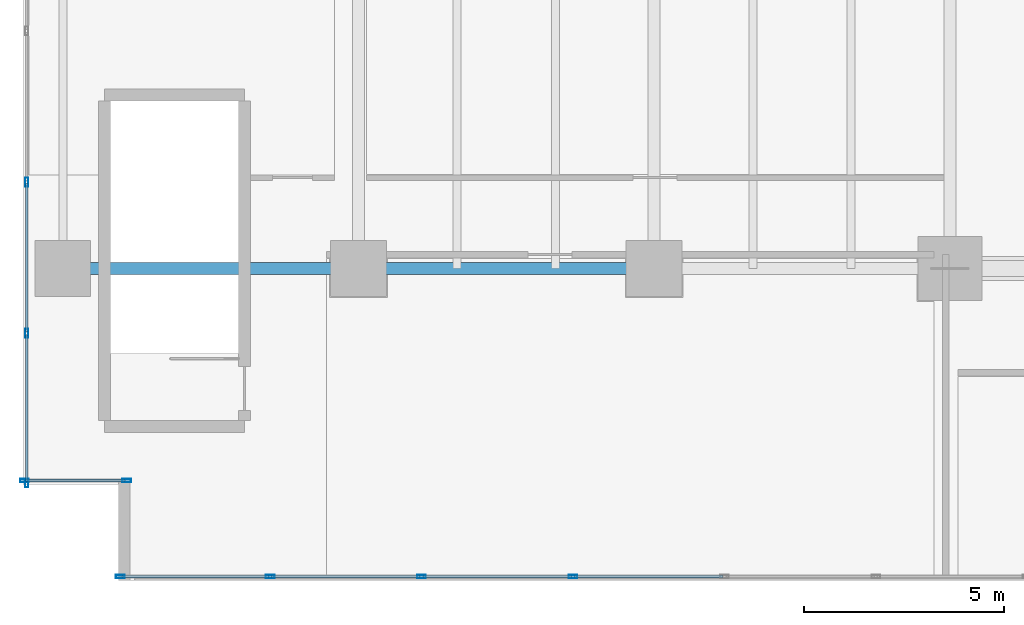
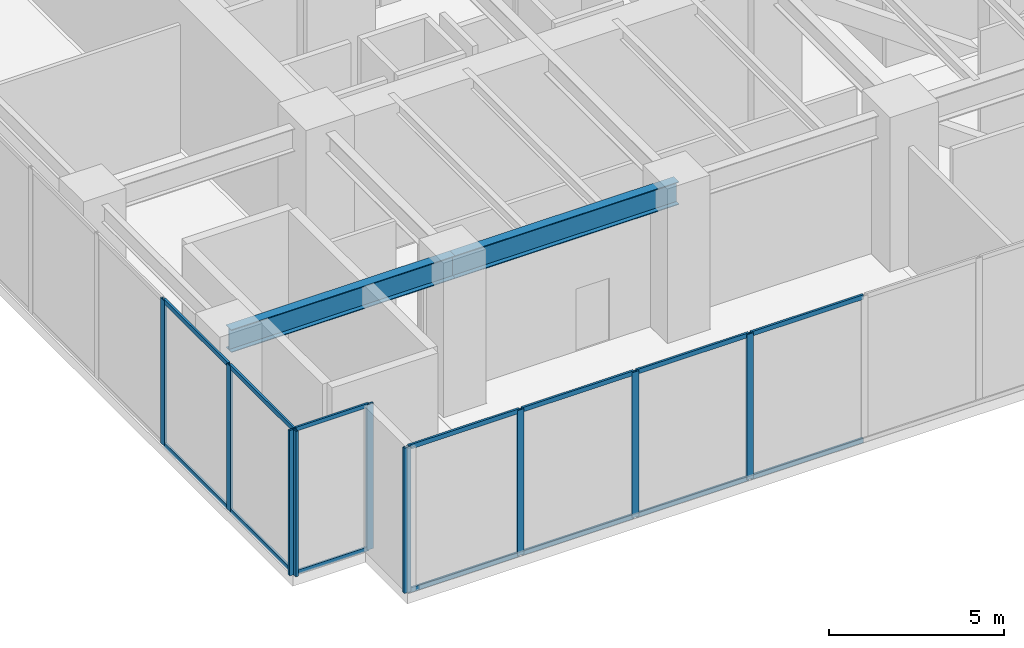
# One storey, part 2 of 35: 23 members, 2 beams, 3 elements without a shape of their own.
"""IFC4 building model written with IfcOpenShell, lengths in metres."""

import ifcopenshell
import ifcopenshell.guid

model = None  # the IFC model being written
_history = None  # IfcOwnerHistory: only IFC2X3 demands one
_inside = {}  # id of a spatial element -> (the spatial element, [elements in it])
_under = {}  # id of a project, library or spatial element -> (it, [spatial elements below it])
_declared = {}  # id of a project -> (the project, [libraries it declares])
_typed = {}  # id of a type object -> (the type object, [elements of that type])
_made_of = {}  # id of a material, layer set ... -> (it, [elements and type objects made of it])


def new_model(schema):
    """Start an empty IFC model of exactly this schema.

    Asked for "IFC4X3", IfcOpenShell would pick the latest addendum, in which some entities
    have other attributes; the version numbers below select the first issue.
    IFC2X3 requires an IfcOwnerHistory on every rooted entity: one is made here for all.
    """
    global model, _history
    if schema == "IFC4X3":
        model = ifcopenshell.file(schema_version=(4, 3, 0, 0))
    else:
        model = ifcopenshell.file(schema=schema)
    _inside.clear()
    _under.clear()
    _declared.clear()
    _typed.clear()
    _made_of.clear()
    _history = None
    if model.schema == "IFC2X3":
        org = make("IfcOrganization", Name="unknown")
        user = make(
            "IfcPersonAndOrganization",
            ThePerson=make("IfcPerson", FamilyName="unknown"),
            TheOrganization=org,
        )
        app = make(
            "IfcApplication",
            ApplicationDeveloper=org,
            Version="unknown",
            ApplicationFullName="unknown",
            ApplicationIdentifier="unknown",
        )
        _history = make(
            "IfcOwnerHistory",
            OwningUser=user,
            OwningApplication=app,
            ChangeAction="ADDED",
            CreationDate=0,
        )
    return model


def make(cls, **values):
    """One entity of the class cls with the attributes given. An attribute that is None is left unset."""
    return model.create_entity(
        cls, **{name: value for name, value in values.items() if value is not None}
    )


def rooted(cls, **values):
    """An entity with a GlobalId (a new one), such as an element, a storey or a relation."""
    return make(cls, GlobalId=ifcopenshell.guid.new(), OwnerHistory=_history, **values)


def si_unit(unit_type, name, prefix=None):
    """IfcSIUnit, for example si_unit("LENGTHUNIT", "METRE", prefix="MILLI")."""
    return make("IfcSIUnit", UnitType=unit_type, Prefix=prefix, Name=name)


def assignment(units):
    """IfcUnitAssignment: the units of a project."""
    return None if units is None else make("IfcUnitAssignment", Units=units)


def point(xyz):
    """IfcCartesianPoint."""
    return None if xyz is None else make("IfcCartesianPoint", Coordinates=xyz)


def direction(xyz):
    """IfcDirection."""
    return None if xyz is None else make("IfcDirection", DirectionRatios=xyz)


def frame(location, z_axis=None, x_axis=None):
    """IfcAxis2Placement3D, a coordinate frame: its origin and axes. An axis left out is left unset."""
    return make(
        "IfcAxis2Placement3D",
        Location=point(location),
        Axis=direction(z_axis),
        RefDirection=direction(x_axis),
    )


def frame_2d(location, x_axis=None):
    """IfcAxis2Placement2D, a coordinate frame in the plane: its origin and x axis."""
    return make(
        "IfcAxis2Placement2D", Location=point(location), RefDirection=direction(x_axis)
    )


def origin():
    """The frame at (0, 0, 0) with its axes left unset."""
    return frame((0.0, 0.0, 0.0))


def origin_2d():
    """The frame at (0, 0) in the plane with its x axis left unset."""
    return frame_2d((0.0, 0.0))


def place(relative_to, where):
    """IfcLocalPlacement: puts the frame where relative to a parent placement (None: the world)."""
    return make(
        "IfcLocalPlacement", PlacementRelTo=relative_to, RelativePlacement=where
    )


def context(
    kind, dimensions, precision=None, world=None, true_north=None, identifier=None
):
    """IfcGeometricRepresentationContext, for example the 3D "Model" context."""
    return make(
        "IfcGeometricRepresentationContext",
        ContextIdentifier=identifier,
        ContextType=kind,
        CoordinateSpaceDimension=dimensions,
        Precision=precision,
        WorldCoordinateSystem=world,
        TrueNorth=true_north,
    )


def subcontext(parent, identifier, kind, view, scale=None):
    """IfcGeometricRepresentationSubContext, for example "Body" below "Model"."""
    return make(
        "IfcGeometricRepresentationSubContext",
        ContextIdentifier=identifier,
        ContextType=kind,
        ParentContext=parent,
        TargetScale=scale,
        TargetView=view,
    )


def project(units=None, contexts=None):
    """IfcProject with its units and contexts."""
    return rooted(
        "IfcProject",
        Name="project",
        RepresentationContexts=contexts,
        UnitsInContext=assignment(units),
    )


def spatial(cls, under=None, at=None, **own):
    """A site, building, storey or space (cls), placed at a placement, below another one or the project."""
    s = rooted(cls, ObjectPlacement=at, **own)
    if under is not None:
        _under.setdefault(under.id(), (under, []))[1].append(s)
    return s


def profile(cls, at=None, kind="AREA", **sizes):
    """A parametric profile (cls). Its sizes go by their IFC names, for example OverallWidth=200.0."""
    return make(cls, ProfileType=kind, Position=at, **sizes)


def hollow_rectangle(**sizes):
    """IfcRectangleHollowProfileDef."""
    return profile("IfcRectangleHollowProfileDef", **sizes)


def i_section(**sizes):
    """IfcIShapeProfileDef."""
    return profile("IfcIShapeProfileDef", **sizes)


def extrude(swept, where, along, depth):
    """IfcExtrudedAreaSolid: the profile swept, set in the frame where, extruded along a direction by depth."""
    return make(
        "IfcExtrudedAreaSolid",
        SweptArea=swept,
        Position=where,
        ExtrudedDirection=direction(along),
        Depth=depth,
    )


def shape(context_of_items, identifier, shape_type, items):
    """IfcShapeRepresentation: the items that make up one representation, for example the "Body"."""
    return make(
        "IfcShapeRepresentation",
        ContextOfItems=context_of_items,
        RepresentationIdentifier=identifier,
        RepresentationType=shape_type,
        Items=items,
    )


def source(mapping_origin, context_of_items, identifier, shape_type, items):
    """IfcRepresentationMap: a shape defined once, which mapped items show again and again."""
    return make(
        "IfcRepresentationMap",
        MappingOrigin=mapping_origin,
        MappedRepresentation=shape(context_of_items, identifier, shape_type, items),
    )


def transform(
    local_origin,
    x_axis=None,
    y_axis=None,
    z_axis=None,
    scale=None,
    scale2=None,
    scale3=None,
    uniform=True,
):
    """IfcCartesianTransformationOperator3D, or its non-uniform kind. x_axis, y_axis, z_axis: its Axis1, 2, 3."""
    if uniform:
        return make(
            "IfcCartesianTransformationOperator3D",
            Axis1=direction(x_axis),
            Axis2=direction(y_axis),
            LocalOrigin=point(local_origin),
            Scale=scale,
            Axis3=direction(z_axis),
        )
    return make(
        "IfcCartesianTransformationOperator3DnonUniform",
        Axis1=direction(x_axis),
        Axis2=direction(y_axis),
        LocalOrigin=point(local_origin),
        Scale=scale,
        Axis3=direction(z_axis),
        Scale2=scale2,
        Scale3=scale3,
    )


def mapped(mapping_source, mapping_target):
    """IfcMappedItem: shows the shape of a source again, moved by a transform."""
    return make(
        "IfcMappedItem", MappingSource=mapping_source, MappingTarget=mapping_target
    )


def material(Name=None, Category=None):
    """IfcMaterial."""
    return make("IfcMaterial", Name=Name, Category=Category)


def layer(
    of_material, thickness, ventilated=None, Name=None, Category=None, Priority=None
):
    """IfcMaterialLayer: one layer of a wall or slab, of a material (None: an air gap)."""
    return make(
        "IfcMaterialLayer",
        Material=of_material,
        LayerThickness=thickness,
        IsVentilated=ventilated,
        Name=Name,
        Category=Category,
        Priority=Priority,
    )


def layer_set(layers, Name=None):
    """IfcMaterialLayerSet."""
    return make("IfcMaterialLayerSet", MaterialLayers=layers, LayerSetName=Name)


def material_profile(
    of_material, cross_section, Name=None, Category=None, Priority=None
):
    """IfcMaterialProfile: a cross section and its material."""
    return make(
        "IfcMaterialProfile",
        Name=Name,
        Material=of_material,
        Profile=cross_section,
        Priority=Priority,
        Category=Category,
    )


def profile_set(profiles, Name=None, composite=None):
    """IfcMaterialProfileSet."""
    return make(
        "IfcMaterialProfileSet",
        Name=Name,
        MaterialProfiles=profiles,
        CompositeProfile=composite,
    )


def made_of(thing, what):
    """Note that an element or type object is made of a material, layer set ...; save() writes the relation."""
    if what is not None:
        _made_of.setdefault(what.id(), (what, []))[1].append(thing)
    return thing


def type_object(cls, material=None, **own):
    """A type object (cls), such as IfcWallType, which elements share."""
    return made_of(rooted(cls, **own), material)


def type_shapes(of_type, sources):
    """Give a type object the sources (RepresentationMaps) that its elements show as mapped items."""
    of_type.RepresentationMaps = sources


def element(
    cls,
    number,
    at=None,
    inside=None,
    cuts=None,
    type_object=None,
    material=None,
    context=None,
    identifier="Body",
    shape_type=None,
    held_by="IfcProductDefinitionShape",
    body=None,
    shapes=None,
    **own,
):
    """One element of the class cls, such as IfcWall. Its Tag is "e" and its number.

    at: its placement. inside: the storey or other place that contains it. cuts: it is an
    opening in that element (IfcRelVoidsElement). A single representation is given by context,
    identifier, shape_type and body (its items); several are given by shapes. held_by: the class
    of the entity that holds the representations. save() writes the other relations.
    """
    e = rooted(cls, Tag="e%d" % number, ObjectPlacement=at, **own)
    if body is not None:
        shapes = [shape(context, identifier, shape_type, body)]
    if shapes is not None:
        e.Representation = make(held_by, Representations=shapes)
    if inside is not None:
        _inside.setdefault(inside.id(), (inside, []))[1].append(e)
    if cuts is not None:
        rooted(
            "IfcRelVoidsElement", RelatingBuildingElement=cuts, RelatedOpeningElement=e
        )
    if type_object is not None:
        _typed.setdefault(type_object.id(), (type_object, []))[1].append(e)
    return made_of(e, material)


def aggregate(whole, parts):
    """IfcRelAggregates: a whole, such as a stair, and the parts it consists of."""
    return rooted("IfcRelAggregates", RelatingObject=whole, RelatedObjects=parts)


def save(model, path):
    """Write the relations noted so far, then the file.

    IfcRelAggregates (storeys below a building ...), IfcRelContainedInSpatialStructure (elements
    in a storey), IfcRelDefinesByType, IfcRelAssociatesMaterial and IfcRelDeclares: one each for
    every whole, place, type object, material and project.
    """
    for whole, parts in _under.values():
        aggregate(whole, parts)
    for where, things in _inside.values():
        rooted(
            "IfcRelContainedInSpatialStructure",
            RelatedElements=things,
            RelatingStructure=where,
        )
    for kind, things in _typed.values():
        rooted("IfcRelDefinesByType", RelatedObjects=things, RelatingType=kind)
    for what, things in _made_of.values():
        rooted("IfcRelAssociatesMaterial", RelatedObjects=things, RelatingMaterial=what)
    for by, libraries in _declared.values():
        rooted("IfcRelDeclares", RelatingContext=by, RelatedDefinitions=libraries)
    model.write(path)


model = new_model("IFC4")

# Units and contexts
model_context = context("Model", 3, precision=1e-05, world=origin(), true_north=direction((0.0, 1.0)))
body_context = subcontext(model_context, "Body", "Model", "MODEL_VIEW")
ifc_project = project(units=[si_unit("LENGTHUNIT", "METRE"), si_unit("AREAUNIT", "SQUARE_METRE"), si_unit("VOLUMEUNIT", "CUBIC_METRE"), si_unit("PLANEANGLEUNIT", "RADIAN"), si_unit("MASSUNIT", "GRAM", prefix="KILO")], contexts=[model_context])

# Site, building, storey
site_placement = place(None, origin())
site = spatial("IfcSite", under=ifc_project, at=site_placement, CompositionType="ELEMENT")
building_placement = place(site_placement, origin())
building = spatial("IfcBuilding", under=site, at=building_placement, Name="Haelvirn Gate Laboratories", CompositionType="ELEMENT")
storey_placement = place(building_placement, frame((0.0, 0.0, 19.800048828125)))
storey = spatial("IfcBuildingStorey", under=building, at=storey_placement, Name="L05", CompositionType="ELEMENT", Elevation=19.800048828125)

# Beams
ifc_material_1 = material(Name="Steel SM420", Category="steel")
ifc_material_profile_1 = material_profile(ifc_material_1, i_section(OverallWidth=0.300048828125, OverallDepth=0.800048828125, WebThickness=0.013916015625, FlangeThickness=0.02587890625, at=origin_2d()), Name="H-800x300x14x26")
ifc_profile_set_1 = profile_set([ifc_material_profile_1], Name="Steel SM420")
beam_type = type_object("IfcBeamType", Name="BM-G-800", PredefinedType="BEAM", material=ifc_profile_set_1)
shared_shape_1 = source(origin(), body_context, "Body", "SweptSolid", [
    extrude(i_section(OverallWidth=0.300048828125, OverallDepth=0.800048828125, WebThickness=0.013916015625, FlangeThickness=0.02587890625, at=origin_2d()), origin(), (0.0, 0.0, 1.0), 7.400146484375),
])
beam_1_placement = place(storey_placement, frame((7.39990234375, 7.0, 4.679931640625), z_axis=(1.0, 0.0, 0.0), x_axis=(0.0, 1.0, 0.0)))
element("IfcBeam", 1, at=beam_1_placement, inside=storey, type_object=beam_type, Name="L05 Primary Girder Y7.0 (7.4-14.8)", PredefinedType="BEAM", context=body_context, shape_type="MappedRepresentation", body=[
    mapped(shared_shape_1, transform((0.0, 0.0, 0.0), scale=1.0)),
])
shared_shape_2 = source(origin(), body_context, "Body", "SweptSolid", [
    extrude(i_section(OverallWidth=0.300048828125, OverallDepth=0.800048828125, WebThickness=0.013916015625, FlangeThickness=0.02587890625, at=origin_2d()), origin(), (0.0, 0.0, 1.0), 7.39990234375),
])
type_shapes(beam_type, [shared_shape_1, shared_shape_2])
beam_2_placement = place(storey_placement, frame((0.0, 7.0, 4.679931640625), z_axis=(1.0, 0.0, 0.0), x_axis=(0.0, 1.0, 0.0)))
element("IfcBeam", 2, at=beam_2_placement, inside=storey, type_object=beam_type, Name="L05 Primary Girder Y7.0 (0.0-7.4)", PredefinedType="BEAM", context=body_context, shape_type="MappedRepresentation", body=[
    mapped(shared_shape_2, transform((0.0, 0.0, 0.0), scale=1.0)),
])

# Curtain wall, members
ifc_material_2 = material(Name="Anodised bronze unitised aluminium & triple low-E glass", Category="aluminium")
ifc_layer_1 = layer(ifc_material_2, 0.181884765625, Name="CW-SYS-5")
ifc_layer_set_1 = layer_set([ifc_layer_1], Name="Anodised bronze unitised aluminium & triple low-E glass")
curtain_wall_type_1 = type_object("IfcCurtainWallType", Name="CW-SYS-5", PredefinedType="NOTDEFINED", material=ifc_layer_set_1)
curtain_wall_1_placement = place(storey_placement, origin())
curtain_wall_1 = element("IfcCurtainWall", 3, at=curtain_wall_1_placement, inside=storey, type_object=curtain_wall_type_1, Name="L05 Unitised Curtain Wall CW-L05-P0-E10-1", PredefinedType="NOTDEFINED")
ifc_material_3 = material(Name="Extruded aluminium 6063-T6 (anodised bronze)", Category="aluminium")
ifc_material_profile_2 = material_profile(ifc_material_3, hollow_rectangle(XDim=0.06494140625, YDim=0.139892578125, WallThickness=0.00390625, at=origin_2d()), Name="CWT-140x65x4")
ifc_profile_set_2 = profile_set([ifc_material_profile_2], Name="Extruded aluminium 6063-T6 (anodised bronze)")
member_type_1 = type_object("IfcMemberType", Name="CWT-T140", PredefinedType="USERDEFINED", material=ifc_profile_set_2)
shared_shape_3 = source(origin(), body_context, "Body", "SweptSolid", [
    extrude(hollow_rectangle(XDim=0.06494140625, YDim=0.139892578125, WallThickness=0.00390625, at=origin_2d()), origin(), (0.0, 0.0, 1.0), 2.47998046875),
])
type_shapes(member_type_1, [shared_shape_3])
member_1_placement = place(storey_placement, frame((-0.919921875, 1.699951171875, 0.032470703125), z_axis=(1.0, 0.0, 0.0), x_axis=(0.0, 1.0, 0.0)))
member_1 = element("IfcMember", 4, at=member_1_placement, type_object=member_type_1, Name="CW5 transom 1.1", ObjectType="TRANSOM", PredefinedType="USERDEFINED", context=body_context, shape_type="MappedRepresentation", body=[
    mapped(shared_shape_3, transform((0.0, 0.0, 0.0), scale=1.0)),
])
member_2_placement = place(storey_placement, frame((-0.919921875, 1.699951171875, 5.04736328125), z_axis=(1.0, 0.0, 0.0), x_axis=(0.0, 1.0, 0.0)))
member_2 = element("IfcMember", 5, at=member_2_placement, type_object=member_type_1, Name="CW5 transom 1.2", ObjectType="TRANSOM", PredefinedType="USERDEFINED", context=body_context, shape_type="MappedRepresentation", body=[
    mapped(shared_shape_3, transform((0.0, 0.0, 0.0), scale=1.0)),
])

ifc_layer_2 = layer(ifc_material_2, 0.18798828125, Name="CW-SYS-1")
ifc_layer_set_2 = layer_set([ifc_layer_2], Name="Anodised bronze unitised aluminium & triple low-E glass")
curtain_wall_type_2 = type_object("IfcCurtainWallType", Name="CW-SYS-1", PredefinedType="NOTDEFINED", material=ifc_layer_set_2)
curtain_wall_2_placement = place(storey_placement, origin())
curtain_wall_2 = element("IfcCurtainWall", 6, at=curtain_wall_2_placement, inside=storey, type_object=curtain_wall_type_2, Name="L05 Unitised Curtain Wall CW-L05-P0-E09", PredefinedType="NOTDEFINED")
ifc_material_profile_3 = material_profile(ifc_material_3, hollow_rectangle(XDim=0.070068359375, YDim=0.159912109375, WallThickness=0.0048828125, at=origin_2d()), Name="CWT-160x70x5")
ifc_profile_set_3 = profile_set([ifc_material_profile_3], Name="Extruded aluminium 6063-T6 (anodised bronze)")
member_type_2 = type_object("IfcMemberType", Name="CWT-T160", PredefinedType="USERDEFINED", material=ifc_profile_set_3)
shared_shape_4 = source(origin(), body_context, "Body", "SweptSolid", [
    extrude(hollow_rectangle(XDim=0.070068359375, YDim=0.159912109375, WallThickness=0.0048828125, at=origin_2d()), origin(), (0.0, 0.0, 1.0), 3.663330078125),
])
member_3_placement = place(storey_placement, frame((-0.89990234375, 5.34326171875, 0.034912109375), z_axis=(0.0, -1.0, 0.0), x_axis=(1.0, 0.0, 0.0)))
member_3 = element("IfcMember", 7, at=member_3_placement, type_object=member_type_2, Name="CW1 transom 12.1", ObjectType="TRANSOM", PredefinedType="USERDEFINED", context=body_context, shape_type="MappedRepresentation", body=[
    mapped(shared_shape_4, transform((0.0, 0.0, 0.0), scale=1.0)),
])
member_4_placement = place(storey_placement, frame((-0.89990234375, 5.34326171875, 5.044921875), z_axis=(0.0, -1.0, 0.0), x_axis=(1.0, 0.0, 0.0)))
member_4 = element("IfcMember", 8, at=member_4_placement, type_object=member_type_2, Name="CW1 transom 12.2", ObjectType="TRANSOM", PredefinedType="USERDEFINED", context=body_context, shape_type="MappedRepresentation", body=[
    mapped(shared_shape_4, transform((0.0, 0.0, 0.0), scale=1.0)),
])
shared_shape_5 = source(origin(), body_context, "Body", "SweptSolid", [
    extrude(hollow_rectangle(XDim=0.070068359375, YDim=0.159912109375, WallThickness=0.0048828125, at=origin_2d()), origin(), (0.0, 0.0, 1.0), 3.703369140625),
])
member_5_placement = place(storey_placement, frame((-0.89990234375, 9.126708984375, 0.034912109375), z_axis=(0.0, -1.0, 0.0), x_axis=(1.0, 0.0, 0.0)))
member_5 = element("IfcMember", 9, at=member_5_placement, type_object=member_type_2, Name="CW1 transom 11.1", ObjectType="TRANSOM", PredefinedType="USERDEFINED", context=body_context, shape_type="MappedRepresentation", body=[
    mapped(shared_shape_5, transform((0.0, 0.0, 0.0), scale=1.0)),
])
member_6_placement = place(storey_placement, frame((-0.89990234375, 9.126708984375, 5.044921875), z_axis=(0.0, -1.0, 0.0), x_axis=(1.0, 0.0, 0.0)))
member_6 = element("IfcMember", 10, at=member_6_placement, type_object=member_type_2, Name="CW1 transom 11.2", ObjectType="TRANSOM", PredefinedType="USERDEFINED", context=body_context, shape_type="MappedRepresentation", body=[
    mapped(shared_shape_5, transform((0.0, 0.0, 0.0), scale=1.0)),
])

curtain_wall_3_placement = place(storey_placement, origin())
curtain_wall_3 = element("IfcCurtainWall", 11, at=curtain_wall_3_placement, inside=storey, type_object=curtain_wall_type_2, Name="L05 Unitised Curtain Wall CW-L05-P0-E00-1", PredefinedType="NOTDEFINED")
ifc_material_profile_4 = material_profile(ifc_material_3, hollow_rectangle(XDim=0.080078125, YDim=0.219970703125, WallThickness=0.006103515625, at=origin_2d()), Name="CWM-220x80x6")
ifc_profile_set_4 = profile_set([ifc_material_profile_4], Name="Extruded aluminium 6063-T6 (anodised bronze)")
member_type_3 = type_object("IfcMemberType", Name="CWM-T220", PredefinedType="MULLION", material=ifc_profile_set_4)
shared_shape_6 = source(origin(), body_context, "Body", "SweptSolid", [
    extrude(hollow_rectangle(XDim=0.080078125, YDim=0.219970703125, WallThickness=0.006103515625, at=origin_2d()), origin(), (0.0, 0.0, 1.0), 5.079833984375),
])
type_shapes(member_type_3, [shared_shape_6])
member_7_placement = place(storey_placement, frame((1.43994140625, -0.699951171875, 0.0), z_axis=(0.0, 0.0, 1.0), x_axis=(0.0, 1.0, 0.0)))
member_7 = element("IfcMember", 12, at=member_7_placement, type_object=member_type_3, Name="CW1 mullion 1", PredefinedType="MULLION", context=body_context, shape_type="MappedRepresentation", body=[
    mapped(shared_shape_6, transform((0.0, 0.0, 0.0), scale=1.0)),
])
member_8_placement = place(storey_placement, frame((5.189453125, -0.699951171875, 0.0), z_axis=(0.0, 0.0, 1.0), x_axis=(0.0, 1.0, 0.0)))
member_8 = element("IfcMember", 13, at=member_8_placement, type_object=member_type_3, Name="CW1 mullion 2", PredefinedType="MULLION", context=body_context, shape_type="MappedRepresentation", body=[
    mapped(shared_shape_6, transform((0.0, 0.0, 0.0), scale=1.0)),
])
member_9_placement = place(storey_placement, frame((8.97900390625, -0.699951171875, 0.0), z_axis=(0.0, 0.0, 1.0), x_axis=(0.0, 1.0, 0.0)))
member_9 = element("IfcMember", 14, at=member_9_placement, type_object=member_type_3, Name="CW1 mullion 3", PredefinedType="MULLION", context=body_context, shape_type="MappedRepresentation", body=[
    mapped(shared_shape_6, transform((0.0, 0.0, 0.0), scale=1.0)),
])
member_10_placement = place(storey_placement, frame((12.768310546875, -0.699951171875, 0.0), z_axis=(0.0, 0.0, 1.0), x_axis=(0.0, 1.0, 0.0)))
member_10 = element("IfcMember", 15, at=member_10_placement, type_object=member_type_3, Name="CW1 mullion 4", PredefinedType="MULLION", context=body_context, shape_type="MappedRepresentation", body=[
    mapped(shared_shape_6, transform((0.0, 0.0, 0.0), scale=1.0)),
])

# Member
member_11_placement = place(storey_placement, frame((-0.89990234375, 9.166748046875, 0.0), z_axis=(0.0, 0.0, 1.0), x_axis=(1.0, 0.0, 0.0)))
member_11 = element("IfcMember", 16, at=member_11_placement, type_object=member_type_3, Name="CW1 mullion 11", PredefinedType="MULLION", context=body_context, shape_type="MappedRepresentation", body=[
    mapped(shared_shape_6, transform((0.0, 0.0, 0.0), scale=1.0)),
])

member_12_placement = place(storey_placement, frame((-0.89990234375, 5.38330078125, 0.0), z_axis=(0.0, 0.0, 1.0), x_axis=(1.0, 0.0, 0.0)))
member_12 = element("IfcMember", 17, at=member_12_placement, type_object=member_type_3, Name="CW1 mullion 12", PredefinedType="MULLION", context=body_context, shape_type="MappedRepresentation", body=[
    mapped(shared_shape_6, transform((0.0, 0.0, 0.0), scale=1.0)),
])

member_13_placement = place(storey_placement, frame((-0.89990234375, 1.639892578125, 0.0), z_axis=(0.0, 0.0, 1.0), x_axis=(1.0, 0.0, 0.0)))
member_13 = element("IfcMember", 18, at=member_13_placement, type_object=member_type_3, Name="CW1 mullion 13", PredefinedType="MULLION", context=body_context, shape_type="MappedRepresentation", body=[
    mapped(shared_shape_6, transform((0.0, 0.0, 0.0), scale=1.0)),
])

aggregate(curtain_wall_2, [member_11, member_12, member_13, member_5, member_6, member_3, member_4])

member_14_placement = place(storey_placement, frame((-0.9599609375, 1.699951171875, 0.0), z_axis=(0.0, 0.0, 1.0), x_axis=(0.0, 1.0, 0.0)))
member_14 = element("IfcMember", 19, at=member_14_placement, type_object=member_type_3, Name="CW5 mullion 1", PredefinedType="MULLION", context=body_context, shape_type="MappedRepresentation", body=[
    mapped(shared_shape_6, transform((0.0, 0.0, 0.0), scale=1.0)),
])

member_15_placement = place(storey_placement, frame((1.60009765625, 1.699951171875, 0.0), z_axis=(0.0, 0.0, 1.0), x_axis=(0.0, 1.0, 0.0)))
member_15 = element("IfcMember", 20, at=member_15_placement, type_object=member_type_3, Name="CW5 mullion 2", PredefinedType="MULLION", context=body_context, shape_type="MappedRepresentation", body=[
    mapped(shared_shape_6, transform((0.0, 0.0, 0.0), scale=1.0)),
])

aggregate(curtain_wall_1, [member_14, member_15, member_1, member_2])

shared_shape_7 = source(origin(), body_context, "Body", "SweptSolid", [
    extrude(hollow_rectangle(XDim=0.070068359375, YDim=0.159912109375, WallThickness=0.0048828125, at=origin_2d()), origin(), (0.0, 0.0, 1.0), 3.66943359375),
])
member_16_placement = place(storey_placement, frame((1.47998046875, -0.699951171875, 0.034912109375), z_axis=(1.0, 0.0, 0.0), x_axis=(0.0, 1.0, 0.0)))
member_16 = element("IfcMember", 21, at=member_16_placement, type_object=member_type_2, Name="CW1 transom 1.1", ObjectType="TRANSOM", PredefinedType="USERDEFINED", context=body_context, shape_type="MappedRepresentation", body=[
    mapped(shared_shape_7, transform((0.0, 0.0, 0.0), scale=1.0)),
])

member_17_placement = place(storey_placement, frame((1.47998046875, -0.699951171875, 5.044921875), z_axis=(1.0, 0.0, 0.0), x_axis=(0.0, 1.0, 0.0)))
member_17 = element("IfcMember", 22, at=member_17_placement, type_object=member_type_2, Name="CW1 transom 1.2", ObjectType="TRANSOM", PredefinedType="USERDEFINED", context=body_context, shape_type="MappedRepresentation", body=[
    mapped(shared_shape_7, transform((0.0, 0.0, 0.0), scale=1.0)),
])

shared_shape_8 = source(origin(), body_context, "Body", "SweptSolid", [
    extrude(hollow_rectangle(XDim=0.070068359375, YDim=0.159912109375, WallThickness=0.0048828125, at=origin_2d()), origin(), (0.0, 0.0, 1.0), 3.70947265625),
])
type_shapes(member_type_2, [shared_shape_4, shared_shape_5, shared_shape_7, shared_shape_8])
member_18_placement = place(storey_placement, frame((5.2294921875, -0.699951171875, 0.034912109375), z_axis=(1.0, 0.0, 0.0), x_axis=(0.0, 1.0, 0.0)))
member_18 = element("IfcMember", 23, at=member_18_placement, type_object=member_type_2, Name="CW1 transom 2.1", ObjectType="TRANSOM", PredefinedType="USERDEFINED", context=body_context, shape_type="MappedRepresentation", body=[
    mapped(shared_shape_8, transform((0.0, 0.0, 0.0), scale=1.0)),
])

member_19_placement = place(storey_placement, frame((5.2294921875, -0.699951171875, 5.044921875), z_axis=(1.0, 0.0, 0.0), x_axis=(0.0, 1.0, 0.0)))
member_19 = element("IfcMember", 24, at=member_19_placement, type_object=member_type_2, Name="CW1 transom 2.2", ObjectType="TRANSOM", PredefinedType="USERDEFINED", context=body_context, shape_type="MappedRepresentation", body=[
    mapped(shared_shape_8, transform((0.0, 0.0, 0.0), scale=1.0)),
])

member_20_placement = place(storey_placement, frame((9.01904296875, -0.699951171875, 0.034912109375), z_axis=(1.0, 0.0, 0.0), x_axis=(0.0, 1.0, 0.0)))
member_20 = element("IfcMember", 25, at=member_20_placement, type_object=member_type_2, Name="CW1 transom 3.1", ObjectType="TRANSOM", PredefinedType="USERDEFINED", context=body_context, shape_type="MappedRepresentation", body=[
    mapped(shared_shape_8, transform((0.0, 0.0, 0.0), scale=1.0)),
])

member_21_placement = place(storey_placement, frame((9.01904296875, -0.699951171875, 5.044921875), z_axis=(1.0, 0.0, 0.0), x_axis=(0.0, 1.0, 0.0)))
member_21 = element("IfcMember", 26, at=member_21_placement, type_object=member_type_2, Name="CW1 transom 3.2", ObjectType="TRANSOM", PredefinedType="USERDEFINED", context=body_context, shape_type="MappedRepresentation", body=[
    mapped(shared_shape_8, transform((0.0, 0.0, 0.0), scale=1.0)),
])

member_22_placement = place(storey_placement, frame((12.808349609375, -0.699951171875, 0.034912109375), z_axis=(1.0, 0.0, 0.0), x_axis=(0.0, 1.0, 0.0)))
member_22 = element("IfcMember", 27, at=member_22_placement, type_object=member_type_2, Name="CW1 transom 4.1", ObjectType="TRANSOM", PredefinedType="USERDEFINED", context=body_context, shape_type="MappedRepresentation", body=[
    mapped(shared_shape_8, transform((0.0, 0.0, 0.0), scale=1.0)),
])

member_23_placement = place(storey_placement, frame((12.808349609375, -0.699951171875, 5.044921875), z_axis=(1.0, 0.0, 0.0), x_axis=(0.0, 1.0, 0.0)))
member_23 = element("IfcMember", 28, at=member_23_placement, type_object=member_type_2, Name="CW1 transom 4.2", ObjectType="TRANSOM", PredefinedType="USERDEFINED", context=body_context, shape_type="MappedRepresentation", body=[
    mapped(shared_shape_8, transform((0.0, 0.0, 0.0), scale=1.0)),
])

aggregate(curtain_wall_3, [member_7, member_8, member_9, member_10, member_16, member_17, member_18, member_19, member_20, member_21, member_22, member_23])

save(model, "model.ifc")
